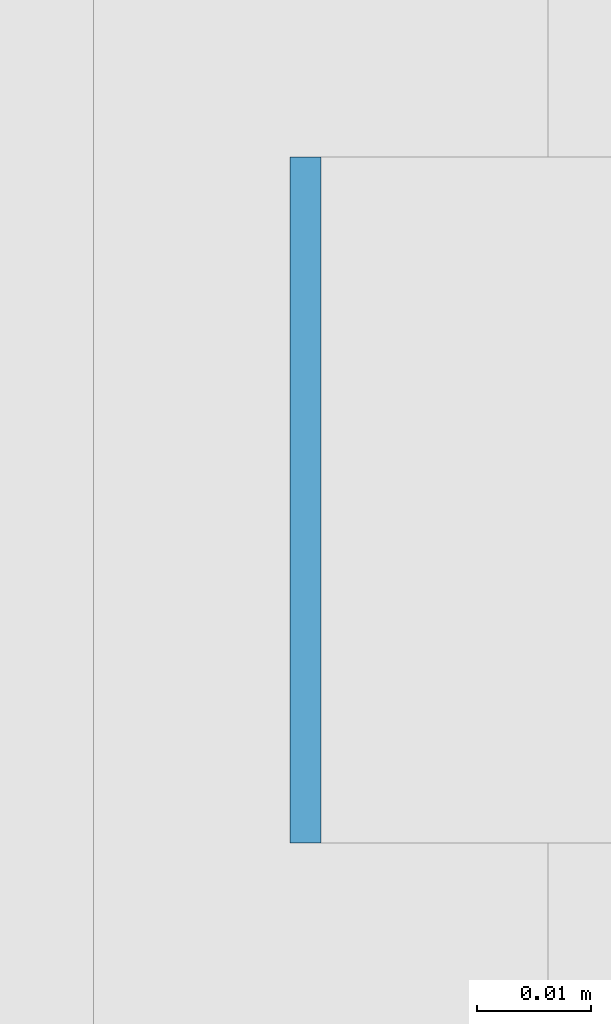
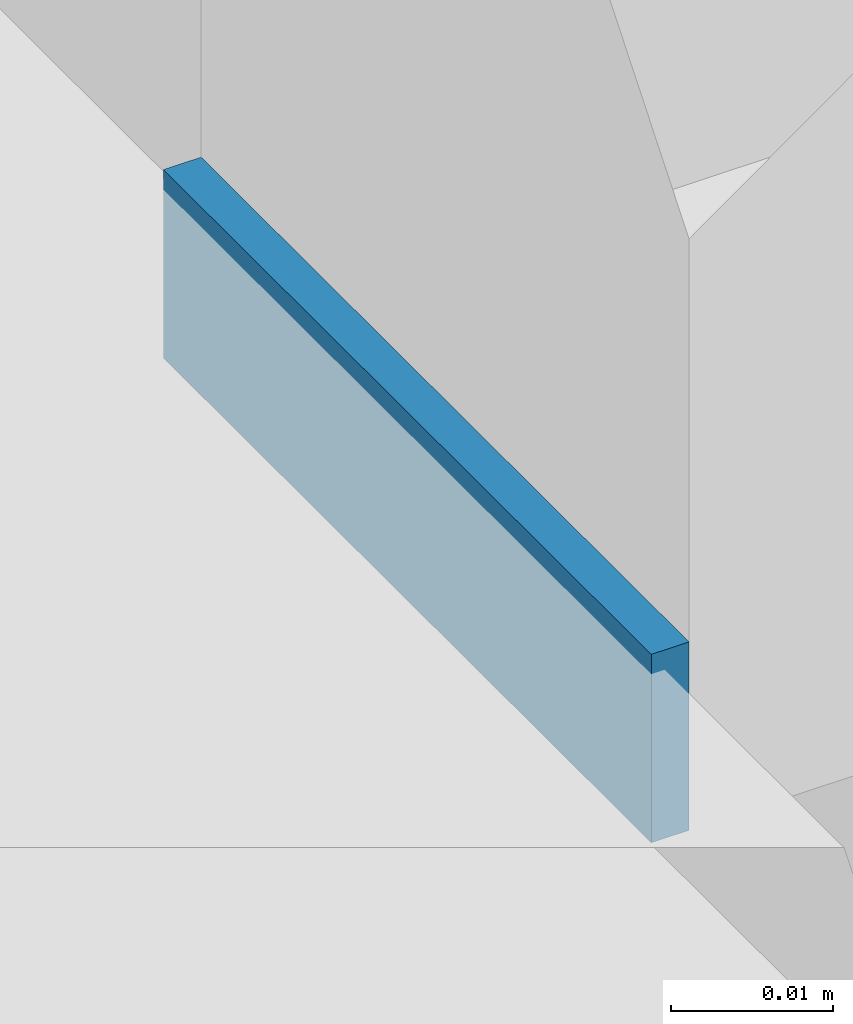
# One storey, part 602 of 646: 1 discrete accessory.
"""IFC4 building model written with IfcOpenShell, lengths in metres."""

from ifc_helpers import new_model, si_unit, direction, frame, origin, origin_2d, place, context, subcontext, project, spatial, rectangle, extrude, material, type_object, element, save


model = new_model("IFC4")

# Units and contexts
model_context = context("Model", 3, precision=1e-05, world=origin(), true_north=direction((0.0, 1.0)))
body_context = subcontext(model_context, "Body", "Model", "MODEL_VIEW")
ifc_project = project(units=[si_unit("LENGTHUNIT", "METRE"), si_unit("AREAUNIT", "SQUARE_METRE"), si_unit("VOLUMEUNIT", "CUBIC_METRE"), si_unit("PLANEANGLEUNIT", "RADIAN"), si_unit("MASSUNIT", "GRAM", prefix="KILO")], contexts=[model_context])

# Site, building, storey
site_placement = place(None, origin())
site = spatial("IfcSite", under=ifc_project, at=site_placement, CompositionType="ELEMENT")
building_placement = place(site_placement, origin())
building = spatial("IfcBuilding", under=site, at=building_placement, Name="Silverbay Arena", CompositionType="ELEMENT")
storey_placement = place(building_placement, frame((0.0, 0.0, 33.5)))
storey = spatial("IfcBuildingStorey", under=building, at=storey_placement, Name="L05", CompositionType="ELEMENT", Elevation=33.5)

# Discrete accessory
ifc_material = material(Name="Steel S355", Category="steel")
discrete_accessory_type = type_object("IfcDiscreteAccessoryType", Name="Steel bracket plate", PredefinedType="BRACKET", material=ifc_material)
discrete_accessory_placement = place(storey_placement, frame((207.128662109375, 124.71435546875, 4.0), z_axis=(0.0, 0.0, 1.0), x_axis=(1.0, 0.0, 0.0)))
element("IfcDiscreteAccessory", 1, at=discrete_accessory_placement, inside=storey, type_object=discrete_accessory_type, Name="Curtain wall packing plate", PredefinedType="BRACKET", context=body_context, shape_type="SweptSolid", body=[
    extrude(rectangle(XDim=0.002685546875, YDim=0.06005859375, at=origin_2d()), origin(), (0.0, 0.0, 1.0), 0.01416015625),
])

save(model, "model.ifc")
